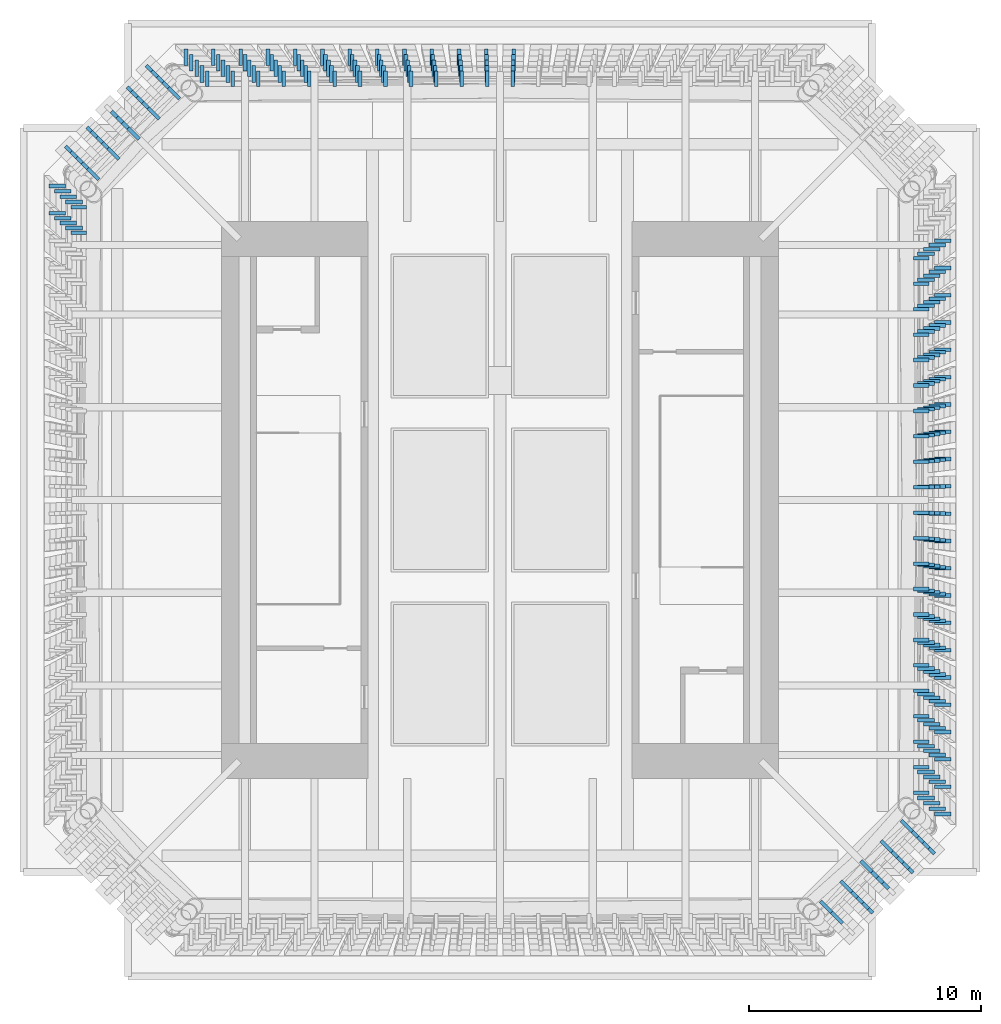
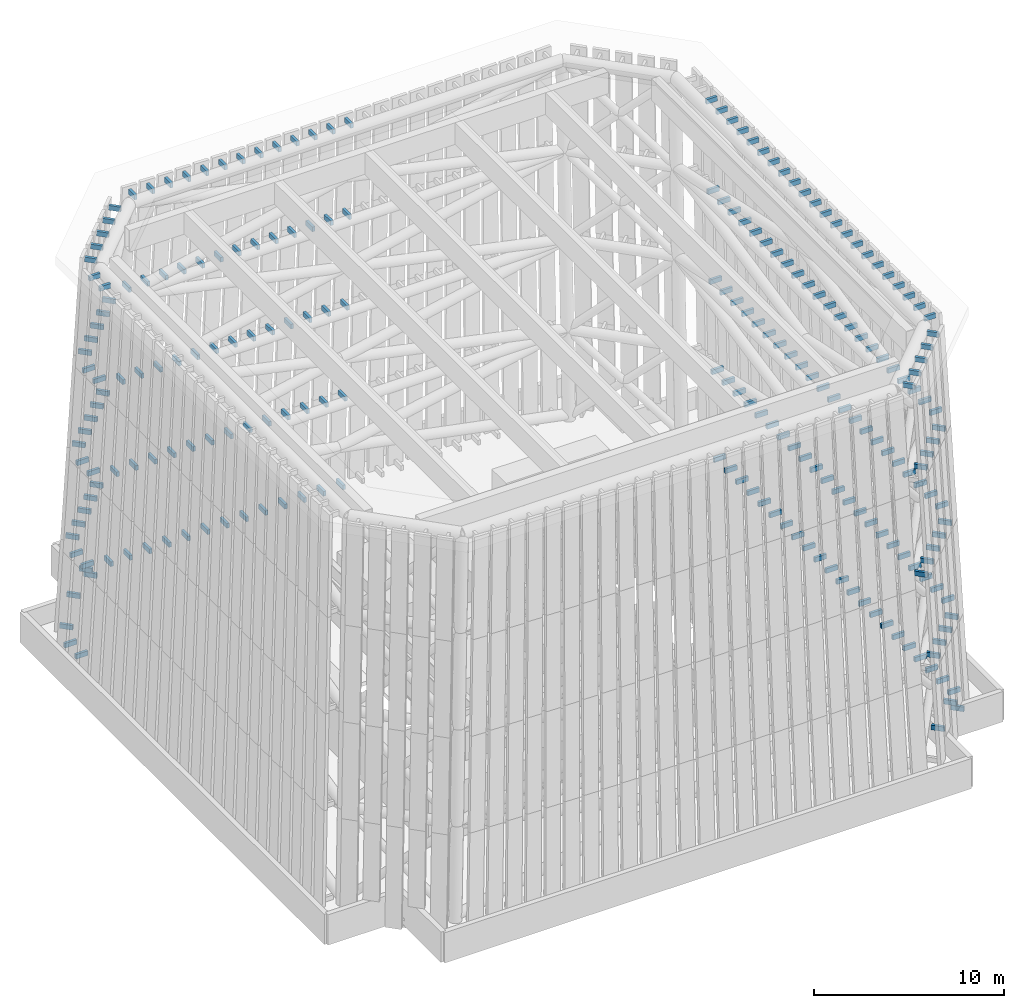
# One storey, part 5 of 13: 230 discrete accessories.
"""IFC4 building model written with IfcOpenShell, lengths in metres."""

from ifc_helpers import new_model, si_unit, direction, frame, origin, origin_2d, place, context, subcontext, project, spatial, rectangle, extrude, source, transform, mapped, material, type_object, element, save


model = new_model("IFC4")

# Units and contexts
model_context = context("Model", 3, precision=1e-05, world=origin(), true_north=direction((0.0, 1.0)))
body_context = subcontext(model_context, "Body", "Model", "MODEL_VIEW")
ifc_project = project(units=[si_unit("LENGTHUNIT", "METRE"), si_unit("AREAUNIT", "SQUARE_METRE"), si_unit("VOLUMEUNIT", "CUBIC_METRE"), si_unit("PLANEANGLEUNIT", "RADIAN"), si_unit("MASSUNIT", "GRAM", prefix="KILO")], contexts=[model_context])

# Site, building, storey
site_placement = place(None, origin())
site = spatial("IfcSite", under=ifc_project, at=site_placement, CompositionType="ELEMENT")
building_placement = place(site_placement, origin())
building = spatial("IfcBuilding", under=site, at=building_placement, Name="Peilmerk Tower", CompositionType="ELEMENT")
storey_placement = place(building_placement, frame((0.0, 0.0, 307.800048828125)))
storey = spatial("IfcBuildingStorey", under=building, at=storey_placement, Name="RF", CompositionType="ELEMENT", Elevation=307.800048828125)

# Discrete accessories
ifc_material = material(Name="Stainless steel 1.4401", Category="steel")
discrete_accessory_type = type_object("IfcDiscreteAccessoryType", Name="BR1 stainless steel fin bracket", PredefinedType="BRACKET", material=ifc_material)
shared_shape_1 = source(origin(), body_context, "Body", "SweptSolid", [
    extrude(rectangle(XDim=0.720458984375, YDim=0.159912109375, at=origin_2d()), origin(), (0.0, 0.0, 1.0), 0.300048828125),
])
for number, where, z_axis, x_axis, name in (
    (1, (19.0947265625, 11.185791015625, 0.0), (0.0, 0.0, 1.0), (1.0, 0.0, 0.0), "Crown fin bracket BR1 NE_E 3"),
    (2, (18.85888671875, 10.9990234375, 5.85009765625), (0.0, 0.0, 1.0), (1.0, 0.0, 0.0), "Crown fin bracket BR1 NE_E 3"),
    (3, (18.616943359375, 10.8076171875, 11.85009765625), (0.0, 0.0, 1.0), (1.0, 0.0, 0.0), "Crown fin bracket BR1 NE_E 3"),
    (4, (18.375, 10.615966796875, 17.85009765625), (0.0, 0.0, 1.0), (1.0, 0.0, 0.0), "Crown fin bracket BR1 NE_E 3"),
    (5, (19.0947265625, 10.00830078125, 0.0), (0.0, 0.0, 1.0), (1.0, 0.0, 0.0), "Crown fin bracket BR1 NE_E 4"),
    (6, (18.85888671875, 9.84130859375, 5.85009765625), (0.0, 0.0, 1.0), (1.0, 0.0, 0.0), "Crown fin bracket BR1 NE_E 4"),
    (7, (18.616943359375, 9.669921875, 11.85009765625), (0.0, 0.0, 1.0), (1.0, 0.0, 0.0), "Crown fin bracket BR1 NE_E 4"),
    (8, (18.375, 9.49853515625, 17.85009765625), (0.0, 0.0, 1.0), (1.0, 0.0, 0.0), "Crown fin bracket BR1 NE_E 4"),
    (9, (19.0947265625, 8.830810546875, 0.0), (0.0, 0.0, 1.0), (1.0, 0.0, 0.0), "Crown fin bracket BR1 NE_E 5"),
    (10, (18.85888671875, 8.683349609375, 5.85009765625), (0.0, 0.0, 1.0), (1.0, 0.0, 0.0), "Crown fin bracket BR1 NE_E 5"),
    (11, (18.616943359375, 8.5322265625, 11.85009765625), (0.0, 0.0, 1.0), (1.0, 0.0, 0.0), "Crown fin bracket BR1 NE_E 5"),
    (12, (18.375, 8.381103515625, 17.85009765625), (0.0, 0.0, 1.0), (1.0, 0.0, 0.0), "Crown fin bracket BR1 NE_E 5"),
    (13, (19.0947265625, 7.653564453125, 0.0), (0.0, 0.0, 1.0), (1.0, 0.0, 0.0), "Crown fin bracket BR1 NE_E 6"),
    (14, (18.85888671875, 7.525634765625, 5.85009765625), (0.0, 0.0, 1.0), (1.0, 0.0, 0.0), "Crown fin bracket BR1 NE_E 6"),
    (15, (18.616943359375, 7.39453125, 11.85009765625), (0.0, 0.0, 1.0), (1.0, 0.0, 0.0), "Crown fin bracket BR1 NE_E 6"),
    (16, (18.375, 7.263671875, 17.85009765625), (0.0, 0.0, 1.0), (1.0, 0.0, 0.0), "Crown fin bracket BR1 NE_E 6"),
    (17, (19.0947265625, 6.47607421875, 0.0), (0.0, 0.0, 1.0), (1.0, 0.0, 0.0), "Crown fin bracket BR1 NE_E 7"),
    (18, (18.85888671875, 6.367919921875, 5.85009765625), (0.0, 0.0, 1.0), (1.0, 0.0, 0.0), "Crown fin bracket BR1 NE_E 7"),
    (19, (18.616943359375, 6.257080078125, 11.85009765625), (0.0, 0.0, 1.0), (1.0, 0.0, 0.0), "Crown fin bracket BR1 NE_E 7"),
    (20, (18.375, 6.14599609375, 17.85009765625), (0.0, 0.0, 1.0), (1.0, 0.0, 0.0), "Crown fin bracket BR1 NE_E 7"),
    (21, (19.0947265625, 5.298583984375, 0.0), (0.0, 0.0, 1.0), (1.0, 0.0, 0.0), "Crown fin bracket BR1 NE_E 8"),
    (22, (18.85888671875, 5.2099609375, 5.85009765625), (0.0, 0.0, 1.0), (1.0, 0.0, 0.0), "Crown fin bracket BR1 NE_E 8"),
    (23, (18.616943359375, 5.119384765625, 11.85009765625), (0.0, 0.0, 1.0), (1.0, 0.0, 0.0), "Crown fin bracket BR1 NE_E 8"),
    (24, (18.375, 5.028564453125, 17.85009765625), (0.0, 0.0, 1.0), (1.0, 0.0, 0.0), "Crown fin bracket BR1 NE_E 8"),
    (25, (19.0947265625, 4.12109375, 0.0), (0.0, 0.0, 1.0), (1.0, 0.0, 0.0), "Crown fin bracket BR1 NE_E 9"),
    (26, (18.85888671875, 4.05224609375, 5.85009765625), (0.0, 0.0, 1.0), (1.0, 0.0, 0.0), "Crown fin bracket BR1 NE_E 9"),
    (27, (18.616943359375, 3.981689453125, 11.85009765625), (0.0, 0.0, 1.0), (1.0, 0.0, 0.0), "Crown fin bracket BR1 NE_E 9"),
    (28, (18.375, 3.9111328125, 17.85009765625), (0.0, 0.0, 1.0), (1.0, 0.0, 0.0), "Crown fin bracket BR1 NE_E 9"),
    (29, (19.0947265625, 2.943603515625, 0.0), (0.0, 0.0, 1.0), (1.0, 0.0, 0.0), "Crown fin bracket BR1 NE_E 10"),
    (30, (18.85888671875, 2.89453125, 5.85009765625), (0.0, 0.0, 1.0), (1.0, 0.0, 0.0), "Crown fin bracket BR1 NE_E 10"),
    (31, (18.616943359375, 2.843994140625, 11.85009765625), (0.0, 0.0, 1.0), (1.0, 0.0, 0.0), "Crown fin bracket BR1 NE_E 10"),
    (32, (18.375, 2.793701171875, 17.85009765625), (0.0, 0.0, 1.0), (1.0, 0.0, 0.0), "Crown fin bracket BR1 NE_E 10"),
    (33, (19.0947265625, 1.76611328125, 0.0), (0.0, 0.0, 1.0), (1.0, 0.0, 0.0), "Crown fin bracket BR1 NE_E 11"),
    (34, (18.85888671875, 1.736572265625, 5.85009765625), (0.0, 0.0, 1.0), (1.0, 0.0, 0.0), "Crown fin bracket BR1 NE_E 11"),
    (35, (18.616943359375, 1.70654296875, 11.85009765625), (0.0, 0.0, 1.0), (1.0, 0.0, 0.0), "Crown fin bracket BR1 NE_E 11"),
    (36, (18.375, 1.67626953125, 17.85009765625), (0.0, 0.0, 1.0), (1.0, 0.0, 0.0), "Crown fin bracket BR1 NE_E 11"),
    (37, (19.0947265625, 0.588623046875, 0.0), (0.0, 0.0, 1.0), (1.0, 0.0, 0.0), "Crown fin bracket BR1 NE_E 12"),
    (38, (18.85888671875, 0.578857421875, 5.85009765625), (0.0, 0.0, 1.0), (1.0, 0.0, 0.0), "Crown fin bracket BR1 NE_E 12"),
    (39, (18.616943359375, 0.56884765625, 11.85009765625), (0.0, 0.0, 1.0), (1.0, 0.0, 0.0), "Crown fin bracket BR1 NE_E 12"),
    (40, (18.375, 0.558837890625, 17.85009765625), (0.0, 0.0, 1.0), (1.0, 0.0, 0.0), "Crown fin bracket BR1 NE_E 12"),
    (41, (19.0947265625, -0.588623046875, 0.0), (0.0, 0.0, 1.0), (1.0, 0.0, 0.0), "Crown fin bracket BR1 NE_E 13"),
    (42, (18.85888671875, -0.578857421875, 5.85009765625), (0.0, 0.0, 1.0), (1.0, 0.0, 0.0), "Crown fin bracket BR1 NE_E 13"),
    (43, (18.616943359375, -0.56884765625, 11.85009765625), (0.0, 0.0, 1.0), (1.0, 0.0, 0.0), "Crown fin bracket BR1 NE_E 13"),
    (44, (18.375, -0.558837890625, 17.85009765625), (0.0, 0.0, 1.0), (1.0, 0.0, 0.0), "Crown fin bracket BR1 NE_E 13"),
    (45, (19.0947265625, -1.76611328125, 0.0), (0.0, 0.0, 1.0), (1.0, 0.0, 0.0), "Crown fin bracket BR1 NE_E 14"),
    (46, (18.85888671875, -1.736572265625, 5.85009765625), (0.0, 0.0, 1.0), (1.0, 0.0, 0.0), "Crown fin bracket BR1 NE_E 14"),
    (47, (18.616943359375, -1.70654296875, 11.85009765625), (0.0, 0.0, 1.0), (1.0, 0.0, 0.0), "Crown fin bracket BR1 NE_E 14"),
    (48, (18.375, -1.67626953125, 17.85009765625), (0.0, 0.0, 1.0), (1.0, 0.0, 0.0), "Crown fin bracket BR1 NE_E 14"),
    (49, (19.0947265625, -2.943603515625, 0.0), (0.0, 0.0, 1.0), (1.0, 0.0, 0.0), "Crown fin bracket BR1 NE_E 15"),
    (50, (18.85888671875, -2.89453125, 5.85009765625), (0.0, 0.0, 1.0), (1.0, 0.0, 0.0), "Crown fin bracket BR1 NE_E 15"),
    (51, (18.616943359375, -2.843994140625, 11.85009765625), (0.0, 0.0, 1.0), (1.0, 0.0, 0.0), "Crown fin bracket BR1 NE_E 15"),
    (52, (18.375, -2.793701171875, 17.85009765625), (0.0, 0.0, 1.0), (1.0, 0.0, 0.0), "Crown fin bracket BR1 NE_E 15"),
    (53, (19.0947265625, -4.12109375, 0.0), (0.0, 0.0, 1.0), (1.0, 0.0, 0.0), "Crown fin bracket BR1 NE_E 16"),
    (54, (18.85888671875, -4.05224609375, 5.85009765625), (0.0, 0.0, 1.0), (1.0, 0.0, 0.0), "Crown fin bracket BR1 NE_E 16"),
    (55, (18.616943359375, -3.981689453125, 11.85009765625), (0.0, 0.0, 1.0), (1.0, 0.0, 0.0), "Crown fin bracket BR1 NE_E 16"),
    (56, (18.375, -3.9111328125, 17.85009765625), (0.0, 0.0, 1.0), (1.0, 0.0, 0.0), "Crown fin bracket BR1 NE_E 16"),
    (57, (19.0947265625, -5.298583984375, 0.0), (0.0, 0.0, 1.0), (1.0, 0.0, 0.0), "Crown fin bracket BR1 NE_E 17"),
    (58, (18.85888671875, -5.2099609375, 5.85009765625), (0.0, 0.0, 1.0), (1.0, 0.0, 0.0), "Crown fin bracket BR1 NE_E 17"),
    (59, (18.616943359375, -5.119384765625, 11.85009765625), (0.0, 0.0, 1.0), (1.0, 0.0, 0.0), "Crown fin bracket BR1 NE_E 17"),
    (60, (18.375, -5.028564453125, 17.85009765625), (0.0, 0.0, 1.0), (1.0, 0.0, 0.0), "Crown fin bracket BR1 NE_E 17"),
    (61, (19.0947265625, -6.47607421875, 0.0), (0.0, 0.0, 1.0), (1.0, 0.0, 0.0), "Crown fin bracket BR1 NE_E 18"),
    (62, (18.85888671875, -6.367919921875, 5.85009765625), (0.0, 0.0, 1.0), (1.0, 0.0, 0.0), "Crown fin bracket BR1 NE_E 18"),
    (63, (18.616943359375, -6.257080078125, 11.85009765625), (0.0, 0.0, 1.0), (1.0, 0.0, 0.0), "Crown fin bracket BR1 NE_E 18"),
    (64, (18.375, -6.14599609375, 17.85009765625), (0.0, 0.0, 1.0), (1.0, 0.0, 0.0), "Crown fin bracket BR1 NE_E 18"),
    (65, (19.0947265625, -7.653564453125, 0.0), (0.0, 0.0, 1.0), (1.0, 0.0, 0.0), "Crown fin bracket BR1 NE_E 19"),
    (66, (18.85888671875, -7.525634765625, 5.85009765625), (0.0, 0.0, 1.0), (1.0, 0.0, 0.0), "Crown fin bracket BR1 NE_E 19"),
    (67, (18.616943359375, -7.39453125, 11.85009765625), (0.0, 0.0, 1.0), (1.0, 0.0, 0.0), "Crown fin bracket BR1 NE_E 19"),
    (68, (18.375, -7.263671875, 17.85009765625), (0.0, 0.0, 1.0), (1.0, 0.0, 0.0), "Crown fin bracket BR1 NE_E 19"),
    (69, (19.0947265625, -8.830810546875, 0.0), (0.0, 0.0, 1.0), (1.0, 0.0, 0.0), "Crown fin bracket BR1 NE_E 20"),
    (70, (18.85888671875, -8.683349609375, 5.85009765625), (0.0, 0.0, 1.0), (1.0, 0.0, 0.0), "Crown fin bracket BR1 NE_E 20"),
    (71, (18.616943359375, -8.5322265625, 11.85009765625), (0.0, 0.0, 1.0), (1.0, 0.0, 0.0), "Crown fin bracket BR1 NE_E 20"),
    (72, (18.375, -8.381103515625, 17.85009765625), (0.0, 0.0, 1.0), (1.0, 0.0, 0.0), "Crown fin bracket BR1 NE_E 20"),
    (73, (19.0947265625, -10.00830078125, 0.0), (0.0, 0.0, 1.0), (1.0, 0.0, 0.0), "Crown fin bracket BR1 NE_E 21"),
    (74, (18.85888671875, -9.84130859375, 5.85009765625), (0.0, 0.0, 1.0), (1.0, 0.0, 0.0), "Crown fin bracket BR1 NE_E 21"),
    (75, (18.616943359375, -9.669921875, 11.85009765625), (0.0, 0.0, 1.0), (1.0, 0.0, 0.0), "Crown fin bracket BR1 NE_E 21"),
    (76, (18.375, -9.49853515625, 17.85009765625), (0.0, 0.0, 1.0), (1.0, 0.0, 0.0), "Crown fin bracket BR1 NE_E 21"),
    (77, (19.0947265625, -11.185791015625, 0.0), (0.0, 0.0, 1.0), (1.0, 0.0, 0.0), "Crown fin bracket BR1 NE_E 22"),
    (78, (18.85888671875, -10.9990234375, 5.85009765625), (0.0, 0.0, 1.0), (1.0, 0.0, 0.0), "Crown fin bracket BR1 NE_E 22"),
    (79, (18.616943359375, -10.8076171875, 11.85009765625), (0.0, 0.0, 1.0), (1.0, 0.0, 0.0), "Crown fin bracket BR1 NE_E 22"),
    (80, (18.375, -10.615966796875, 17.85009765625), (0.0, 0.0, 1.0), (1.0, 0.0, 0.0), "Crown fin bracket BR1 NE_E 22"),
    (81, (19.0947265625, -12.36328125, 0.0), (0.0, 0.0, 1.0), (1.0, 0.0, 0.0), "Crown fin bracket BR1 NE_E 23"),
    (82, (18.85888671875, -12.15673828125, 5.85009765625), (0.0, 0.0, 1.0), (1.0, 0.0, 0.0), "Crown fin bracket BR1 NE_E 23"),
    (83, (18.616943359375, -11.945068359375, 11.85009765625), (0.0, 0.0, 1.0), (1.0, 0.0, 0.0), "Crown fin bracket BR1 NE_E 23"),
    (84, (18.375, -11.7333984375, 17.85009765625), (0.0, 0.0, 1.0), (1.0, 0.0, 0.0), "Crown fin bracket BR1 NE_E 23"),
    (85, (19.0947265625, -13.540771484375, 0.0), (0.0, 0.0, 1.0), (1.0, 0.0, 0.0), "Crown fin bracket BR1 NE_E 24"),
    (86, (18.85888671875, -13.314697265625, 5.85009765625), (0.0, 0.0, 1.0), (1.0, 0.0, 0.0), "Crown fin bracket BR1 NE_E 24"),
    (87, (18.616943359375, -13.082763671875, 11.85009765625), (0.0, 0.0, 1.0), (1.0, 0.0, 0.0), "Crown fin bracket BR1 NE_E 24"),
    (88, (18.375, -12.850830078125, 17.85009765625), (0.0, 0.0, 1.0), (1.0, 0.0, 0.0), "Crown fin bracket BR1 NE_E 24"),
    (89, (18.4794921875, -14.99951171875, 0.0), (0.0, 0.0, 1.0), (0.707106781187, -0.707106781187, 0.0), "Crown fin bracket BR1 SE_E 1"),
    (90, (18.24365234375, -14.763671875, 5.85009765625), (0.0, 0.0, 1.0), (0.707106781187, -0.707106781187, 0.0), "Crown fin bracket BR1 SE_E 1"),
    (91, (18.001708984375, -14.521728515625, 11.85009765625), (0.0, 0.0, 1.0), (0.707106781187, -0.707106781187, 0.0), "Crown fin bracket BR1 SE_E 1"),
    (92, (17.759765625, -14.27978515625, 17.85009765625), (0.0, 0.0, 1.0), (0.707106781187, -0.707106781187, 0.0), "Crown fin bracket BR1 SE_E 1"),
    (93, (17.56103515625, -15.821044921875, 1.19970703125), (0.0, 0.0, 1.0), (0.707106781187, -0.707106781187, 0.0), "Crown fin bracket BR1 SE_E 2"),
    (94, (17.37353515625, -15.633544921875, 5.85009765625), (0.0, 0.0, 1.0), (0.707106781187, -0.707106781187, 0.0), "Crown fin bracket BR1 SE_E 2"),
    (95, (17.131591796875, -15.3916015625, 11.85009765625), (0.0, 0.0, 1.0), (0.707106781187, -0.707106781187, 0.0), "Crown fin bracket BR1 SE_E 2"),
    (96, (16.8896484375, -15.149658203125, 17.85009765625), (0.0, 0.0, 1.0), (0.707106781187, -0.707106781187, 0.0), "Crown fin bracket BR1 SE_E 2"),
    (97, (16.503662109375, -16.503662109375, 5.85009765625), (0.0, 0.0, 1.0), (0.707106781187, -0.707106781187, 0.0), "Crown fin bracket BR1 SE_E 3"),
    (98, (16.26171875, -16.26171875, 11.85009765625), (0.0, 0.0, 1.0), (0.707106781187, -0.707106781187, 0.0), "Crown fin bracket BR1 SE_E 3"),
    (99, (16.019775390625, -16.019775390625, 17.85009765625), (0.0, 0.0, 1.0), (0.707106781187, -0.707106781187, 0.0), "Crown fin bracket BR1 SE_E 3"),
    (100, (15.821044921875, -17.56103515625, 1.19970703125), (0.0, 0.0, 1.0), (0.707106781187, -0.707106781187, 0.0), "Crown fin bracket BR1 SE_E 4"),
    (101, (15.633544921875, -17.37353515625, 5.85009765625), (0.0, 0.0, 1.0), (0.707106781187, -0.707106781187, 0.0), "Crown fin bracket BR1 SE_E 4"),
    (102, (15.3916015625, -17.131591796875, 11.85009765625), (0.0, 0.0, 1.0), (0.707106781187, -0.707106781187, 0.0), "Crown fin bracket BR1 SE_E 4"),
    (103, (15.149658203125, -16.8896484375, 17.85009765625), (0.0, 0.0, 1.0), (0.707106781187, -0.707106781187, 0.0), "Crown fin bracket BR1 SE_E 4"),
    (104, (14.521728515625, -18.001708984375, 11.85009765625), (0.0, 0.0, 1.0), (0.707106781187, -0.707106781187, 0.0), "Crown fin bracket BR1 SE_E 5"),
    (105, (-19.0947265625, 12.36328125, 0.0), (0.0, 0.0, 1.0), (-1.0, 0.0, 0.0), "Crown fin bracket BR1 SW_W 23"),
    (106, (-18.85888671875, 12.15673828125, 5.85009765625), (0.0, 0.0, 1.0), (-1.0, 0.0, 0.0), "Crown fin bracket BR1 SW_W 23"),
    (107, (-18.616943359375, 11.945068359375, 11.85009765625), (0.0, 0.0, 1.0), (-1.0, 0.0, 0.0), "Crown fin bracket BR1 SW_W 23"),
    (108, (-18.375, 11.7333984375, 17.85009765625), (0.0, 0.0, 1.0), (-1.0, 0.0, 0.0), "Crown fin bracket BR1 SW_W 23"),
    (109, (-19.0947265625, 13.540771484375, 0.0), (0.0, 0.0, 1.0), (-1.0, 0.0, 0.0), "Crown fin bracket BR1 SW_W 24"),
    (110, (-18.85888671875, 13.314697265625, 5.85009765625), (0.0, 0.0, 1.0), (-1.0, 0.0, 0.0), "Crown fin bracket BR1 SW_W 24"),
    (111, (-18.616943359375, 13.082763671875, 11.85009765625), (0.0, 0.0, 1.0), (-1.0, 0.0, 0.0), "Crown fin bracket BR1 SW_W 24"),
    (112, (-18.375, 12.850830078125, 17.85009765625), (0.0, 0.0, 1.0), (-1.0, 0.0, 0.0), "Crown fin bracket BR1 SW_W 24"),
    (113, (-18.4794921875, 14.99951171875, 0.0), (0.0, 0.0, 1.0), (-0.707106781187, 0.707106781187, 0.0), "Crown fin bracket BR1 NW_W 1"),
    (114, (-18.24365234375, 14.763671875, 5.85009765625), (0.0, 0.0, 1.0), (-0.707106781187, 0.707106781187, 0.0), "Crown fin bracket BR1 NW_W 1"),
    (115, (-18.001708984375, 14.521728515625, 11.85009765625), (0.0, 0.0, 1.0), (-0.707106781187, 0.707106781187, 0.0), "Crown fin bracket BR1 NW_W 1"),
    (116, (-17.759765625, 14.27978515625, 17.85009765625), (0.0, 0.0, 1.0), (-0.707106781187, 0.707106781187, 0.0), "Crown fin bracket BR1 NW_W 1"),
    (117, (-17.56103515625, 15.821044921875, 1.19970703125), (0.0, 0.0, 1.0), (-0.707106781187, 0.707106781187, 0.0), "Crown fin bracket BR1 NW_W 2"),
    (118, (-17.37353515625, 15.633544921875, 5.85009765625), (0.0, 0.0, 1.0), (-0.707106781187, 0.707106781187, 0.0), "Crown fin bracket BR1 NW_W 2"),
    (119, (-17.131591796875, 15.3916015625, 11.85009765625), (0.0, 0.0, 1.0), (-0.707106781187, 0.707106781187, 0.0), "Crown fin bracket BR1 NW_W 2"),
    (120, (-16.8896484375, 15.149658203125, 17.85009765625), (0.0, 0.0, 1.0), (-0.707106781187, 0.707106781187, 0.0), "Crown fin bracket BR1 NW_W 2"),
    (121, (-16.503662109375, 16.503662109375, 5.85009765625), (0.0, 0.0, 1.0), (-0.707106781187, 0.707106781187, 0.0), "Crown fin bracket BR1 NW_W 3"),
    (122, (-16.26171875, 16.26171875, 11.85009765625), (0.0, 0.0, 1.0), (-0.707106781187, 0.707106781187, 0.0), "Crown fin bracket BR1 NW_W 3"),
    (123, (-16.019775390625, 16.019775390625, 17.85009765625), (0.0, 0.0, 1.0), (-0.707106781187, 0.707106781187, 0.0), "Crown fin bracket BR1 NW_W 3"),
    (124, (-15.821044921875, 17.56103515625, 1.19970703125), (0.0, 0.0, 1.0), (-0.707106781187, 0.707106781187, 0.0), "Crown fin bracket BR1 NW_W 4"),
    (125, (-15.633544921875, 17.37353515625, 5.85009765625), (0.0, 0.0, 1.0), (-0.707106781187, 0.707106781187, 0.0), "Crown fin bracket BR1 NW_W 4"),
    (126, (-15.3916015625, 17.131591796875, 11.85009765625), (0.0, 0.0, 1.0), (-0.707106781187, 0.707106781187, 0.0), "Crown fin bracket BR1 NW_W 4"),
    (127, (-15.149658203125, 16.8896484375, 17.85009765625), (0.0, 0.0, 1.0), (-0.707106781187, 0.707106781187, 0.0), "Crown fin bracket BR1 NW_W 4"),
    (128, (-14.99951171875, 18.4794921875, 0.0), (0.0, 0.0, 1.0), (-0.707106781187, 0.707106781187, 0.0), "Crown fin bracket BR1 NW_W 5"),
    (129, (-14.763671875, 18.24365234375, 5.85009765625), (0.0, 0.0, 1.0), (-0.707106781187, 0.707106781187, 0.0), "Crown fin bracket BR1 NW_W 5"),
    (130, (-14.521728515625, 18.001708984375, 11.85009765625), (0.0, 0.0, 1.0), (-0.707106781187, 0.707106781187, 0.0), "Crown fin bracket BR1 NW_W 5"),
    (131, (-14.27978515625, 17.759765625, 17.85009765625), (0.0, 0.0, 1.0), (-0.707106781187, 0.707106781187, 0.0), "Crown fin bracket BR1 NW_W 5"),
    (132, (-13.540771484375, 19.0947265625, 0.0), (0.0, 0.0, 1.0), (0.0, 1.0, 0.0), "Crown fin bracket BR1 NW_N 1"),
    (133, (-13.314697265625, 18.85888671875, 5.85009765625), (0.0, 0.0, 1.0), (0.0, 1.0, 0.0), "Crown fin bracket BR1 NW_N 1"),
    (134, (-13.082763671875, 18.616943359375, 11.85009765625), (0.0, 0.0, 1.0), (0.0, 1.0, 0.0), "Crown fin bracket BR1 NW_N 1"),
    (135, (-12.850830078125, 18.375, 17.85009765625), (0.0, 0.0, 1.0), (0.0, 1.0, 0.0), "Crown fin bracket BR1 NW_N 1"),
    (136, (-12.36328125, 19.0947265625, 0.0), (0.0, 0.0, 1.0), (0.0, 1.0, 0.0), "Crown fin bracket BR1 NW_N 2"),
    (137, (-12.15673828125, 18.85888671875, 5.85009765625), (0.0, 0.0, 1.0), (0.0, 1.0, 0.0), "Crown fin bracket BR1 NW_N 2"),
    (138, (-11.945068359375, 18.616943359375, 11.85009765625), (0.0, 0.0, 1.0), (0.0, 1.0, 0.0), "Crown fin bracket BR1 NW_N 2"),
    (139, (-11.7333984375, 18.375, 17.85009765625), (0.0, 0.0, 1.0), (0.0, 1.0, 0.0), "Crown fin bracket BR1 NW_N 2"),
    (140, (-11.185791015625, 19.0947265625, 0.0), (0.0, 0.0, 1.0), (0.0, 1.0, 0.0), "Crown fin bracket BR1 NW_N 3"),
    (141, (-10.9990234375, 18.85888671875, 5.85009765625), (0.0, 0.0, 1.0), (0.0, 1.0, 0.0), "Crown fin bracket BR1 NW_N 3"),
    (142, (-10.8076171875, 18.616943359375, 11.85009765625), (0.0, 0.0, 1.0), (0.0, 1.0, 0.0), "Crown fin bracket BR1 NW_N 3"),
    (143, (-10.615966796875, 18.375, 17.85009765625), (0.0, 0.0, 1.0), (0.0, 1.0, 0.0), "Crown fin bracket BR1 NW_N 3"),
    (144, (-10.00830078125, 19.0947265625, 0.0), (0.0, 0.0, 1.0), (0.0, 1.0, 0.0), "Crown fin bracket BR1 NW_N 4"),
    (145, (-9.84130859375, 18.85888671875, 5.85009765625), (0.0, 0.0, 1.0), (0.0, 1.0, 0.0), "Crown fin bracket BR1 NW_N 4"),
    (146, (-9.669921875, 18.616943359375, 11.85009765625), (0.0, 0.0, 1.0), (0.0, 1.0, 0.0), "Crown fin bracket BR1 NW_N 4"),
    (147, (-9.49853515625, 18.375, 17.85009765625), (0.0, 0.0, 1.0), (0.0, 1.0, 0.0), "Crown fin bracket BR1 NW_N 4"),
    (148, (-8.830810546875, 19.0947265625, 0.0), (0.0, 0.0, 1.0), (0.0, 1.0, 0.0), "Crown fin bracket BR1 NW_N 5"),
    (149, (-8.683349609375, 18.85888671875, 5.85009765625), (0.0, 0.0, 1.0), (0.0, 1.0, 0.0), "Crown fin bracket BR1 NW_N 5"),
    (150, (-8.5322265625, 18.616943359375, 11.85009765625), (0.0, 0.0, 1.0), (0.0, 1.0, 0.0), "Crown fin bracket BR1 NW_N 5"),
    (151, (-8.381103515625, 18.375, 17.85009765625), (0.0, 0.0, 1.0), (0.0, 1.0, 0.0), "Crown fin bracket BR1 NW_N 5"),
    (152, (-7.653564453125, 19.0947265625, 0.0), (0.0, 0.0, 1.0), (0.0, 1.0, 0.0), "Crown fin bracket BR1 NW_N 6"),
    (153, (-7.525634765625, 18.85888671875, 5.85009765625), (0.0, 0.0, 1.0), (0.0, 1.0, 0.0), "Crown fin bracket BR1 NW_N 6"),
    (154, (-7.39453125, 18.616943359375, 11.85009765625), (0.0, 0.0, 1.0), (0.0, 1.0, 0.0), "Crown fin bracket BR1 NW_N 6"),
    (155, (-7.263671875, 18.375, 17.85009765625), (0.0, 0.0, 1.0), (0.0, 1.0, 0.0), "Crown fin bracket BR1 NW_N 6"),
    (156, (-6.47607421875, 19.0947265625, 0.0), (0.0, 0.0, 1.0), (0.0, 1.0, 0.0), "Crown fin bracket BR1 NW_N 7"),
    (157, (-6.367919921875, 18.85888671875, 5.85009765625), (0.0, 0.0, 1.0), (0.0, 1.0, 0.0), "Crown fin bracket BR1 NW_N 7"),
    (158, (-6.257080078125, 18.616943359375, 11.85009765625), (0.0, 0.0, 1.0), (0.0, 1.0, 0.0), "Crown fin bracket BR1 NW_N 7"),
    (159, (-6.14599609375, 18.375, 17.85009765625), (0.0, 0.0, 1.0), (0.0, 1.0, 0.0), "Crown fin bracket BR1 NW_N 7"),
    (160, (-5.298583984375, 19.0947265625, 0.0), (0.0, 0.0, 1.0), (0.0, 1.0, 0.0), "Crown fin bracket BR1 NW_N 8"),
    (161, (-5.2099609375, 18.85888671875, 5.85009765625), (0.0, 0.0, 1.0), (0.0, 1.0, 0.0), "Crown fin bracket BR1 NW_N 8"),
    (162, (-5.119384765625, 18.616943359375, 11.85009765625), (0.0, 0.0, 1.0), (0.0, 1.0, 0.0), "Crown fin bracket BR1 NW_N 8"),
    (163, (-5.028564453125, 18.375, 17.85009765625), (0.0, 0.0, 1.0), (0.0, 1.0, 0.0), "Crown fin bracket BR1 NW_N 8"),
    (164, (-4.12109375, 19.0947265625, 0.0), (0.0, 0.0, 1.0), (0.0, 1.0, 0.0), "Crown fin bracket BR1 NW_N 9"),
    (165, (-4.05224609375, 18.85888671875, 5.85009765625), (0.0, 0.0, 1.0), (0.0, 1.0, 0.0), "Crown fin bracket BR1 NW_N 9"),
    (166, (-3.981689453125, 18.616943359375, 11.85009765625), (0.0, 0.0, 1.0), (0.0, 1.0, 0.0), "Crown fin bracket BR1 NW_N 9"),
    (167, (-3.9111328125, 18.375, 17.85009765625), (0.0, 0.0, 1.0), (0.0, 1.0, 0.0), "Crown fin bracket BR1 NW_N 9"),
    (168, (-2.943603515625, 19.0947265625, 0.0), (0.0, 0.0, 1.0), (0.0, 1.0, 0.0), "Crown fin bracket BR1 NW_N 10"),
    (169, (-2.89453125, 18.85888671875, 5.85009765625), (0.0, 0.0, 1.0), (0.0, 1.0, 0.0), "Crown fin bracket BR1 NW_N 10"),
    (170, (-2.843994140625, 18.616943359375, 11.85009765625), (0.0, 0.0, 1.0), (0.0, 1.0, 0.0), "Crown fin bracket BR1 NW_N 10"),
    (171, (-2.793701171875, 18.375, 17.85009765625), (0.0, 0.0, 1.0), (0.0, 1.0, 0.0), "Crown fin bracket BR1 NW_N 10"),
    (172, (-1.76611328125, 19.0947265625, 0.0), (0.0, 0.0, 1.0), (0.0, 1.0, 0.0), "Crown fin bracket BR1 NW_N 11"),
    (173, (-1.736572265625, 18.85888671875, 5.85009765625), (0.0, 0.0, 1.0), (0.0, 1.0, 0.0), "Crown fin bracket BR1 NW_N 11"),
    (174, (-1.70654296875, 18.616943359375, 11.85009765625), (0.0, 0.0, 1.0), (0.0, 1.0, 0.0), "Crown fin bracket BR1 NW_N 11"),
    (175, (-1.67626953125, 18.375, 17.85009765625), (0.0, 0.0, 1.0), (0.0, 1.0, 0.0), "Crown fin bracket BR1 NW_N 11"),
    (176, (-0.588623046875, 19.0947265625, 0.0), (0.0, 0.0, 1.0), (0.0, 1.0, 0.0), "Crown fin bracket BR1 NW_N 12"),
    (177, (-0.578857421875, 18.85888671875, 5.85009765625), (0.0, 0.0, 1.0), (0.0, 1.0, 0.0), "Crown fin bracket BR1 NW_N 12"),
    (178, (-0.56884765625, 18.616943359375, 11.85009765625), (0.0, 0.0, 1.0), (0.0, 1.0, 0.0), "Crown fin bracket BR1 NW_N 12"),
    (179, (-0.558837890625, 18.375, 17.85009765625), (0.0, 0.0, 1.0), (0.0, 1.0, 0.0), "Crown fin bracket BR1 NW_N 12"),
    (180, (0.588623046875, 19.0947265625, 0.0), (0.0, 0.0, 1.0), (0.0, 1.0, 0.0), "Crown fin bracket BR1 NW_N 13"),
    (181, (0.578857421875, 18.85888671875, 5.85009765625), (0.0, 0.0, 1.0), (0.0, 1.0, 0.0), "Crown fin bracket BR1 NW_N 13"),
    (182, (0.56884765625, 18.616943359375, 11.85009765625), (0.0, 0.0, 1.0), (0.0, 1.0, 0.0), "Crown fin bracket BR1 NW_N 13"),
    (183, (0.558837890625, 18.375, 17.85009765625), (0.0, 0.0, 1.0), (0.0, 1.0, 0.0), "Crown fin bracket BR1 NW_N 13"),
):
    element("IfcDiscreteAccessory", number, at=place(storey_placement, frame(where, z_axis=z_axis, x_axis=x_axis)), inside=storey, type_object=discrete_accessory_type, Name=name, PredefinedType="BRACKET", context=body_context, shape_type="MappedRepresentation", body=[
        mapped(shared_shape_1, transform((0.0, 0.0, 0.0), scale=1.0)),
    ])
shared_shape_2 = source(origin(), body_context, "Body", "SweptSolid", [
    extrude(rectangle(XDim=0.669921875, YDim=0.159912109375, at=origin_2d()), origin(), (0.0, 0.0, 1.0), 0.300048828125),
])
for number, where, z_axis, x_axis, name in (
    (184, (18.158203125, 10.424560546875, 23.85009765625), (0.0, 0.0, 1.0), (1.0, 0.0, 0.0), "Crown fin bracket BR1 NE_E 3"),
    (185, (18.158203125, 9.3271484375, 23.85009765625), (0.0, 0.0, 1.0), (1.0, 0.0, 0.0), "Crown fin bracket BR1 NE_E 4"),
    (186, (18.158203125, 8.229736328125, 23.85009765625), (0.0, 0.0, 1.0), (1.0, 0.0, 0.0), "Crown fin bracket BR1 NE_E 5"),
    (187, (18.158203125, 7.132568359375, 23.85009765625), (0.0, 0.0, 1.0), (1.0, 0.0, 0.0), "Crown fin bracket BR1 NE_E 6"),
    (188, (18.158203125, 6.03515625, 23.85009765625), (0.0, 0.0, 1.0), (1.0, 0.0, 0.0), "Crown fin bracket BR1 NE_E 7"),
    (189, (18.158203125, 4.93798828125, 23.85009765625), (0.0, 0.0, 1.0), (1.0, 0.0, 0.0), "Crown fin bracket BR1 NE_E 8"),
    (190, (18.158203125, 3.840576171875, 23.85009765625), (0.0, 0.0, 1.0), (1.0, 0.0, 0.0), "Crown fin bracket BR1 NE_E 9"),
    (191, (18.158203125, 2.7431640625, 23.85009765625), (0.0, 0.0, 1.0), (1.0, 0.0, 0.0), "Crown fin bracket BR1 NE_E 10"),
    (192, (18.158203125, 1.64599609375, 23.85009765625), (0.0, 0.0, 1.0), (1.0, 0.0, 0.0), "Crown fin bracket BR1 NE_E 11"),
    (193, (18.158203125, 0.548583984375, 23.85009765625), (0.0, 0.0, 1.0), (1.0, 0.0, 0.0), "Crown fin bracket BR1 NE_E 12"),
    (194, (18.158203125, -0.548583984375, 23.85009765625), (0.0, 0.0, 1.0), (1.0, 0.0, 0.0), "Crown fin bracket BR1 NE_E 13"),
    (195, (18.158203125, -1.64599609375, 23.85009765625), (0.0, 0.0, 1.0), (1.0, 0.0, 0.0), "Crown fin bracket BR1 NE_E 14"),
    (196, (18.158203125, -2.7431640625, 23.85009765625), (0.0, 0.0, 1.0), (1.0, 0.0, 0.0), "Crown fin bracket BR1 NE_E 15"),
    (197, (18.158203125, -3.840576171875, 23.85009765625), (0.0, 0.0, 1.0), (1.0, 0.0, 0.0), "Crown fin bracket BR1 NE_E 16"),
    (198, (18.158203125, -4.93798828125, 23.85009765625), (0.0, 0.0, 1.0), (1.0, 0.0, 0.0), "Crown fin bracket BR1 NE_E 17"),
    (199, (18.158203125, -6.03515625, 23.85009765625), (0.0, 0.0, 1.0), (1.0, 0.0, 0.0), "Crown fin bracket BR1 NE_E 18"),
    (200, (18.158203125, -7.132568359375, 23.85009765625), (0.0, 0.0, 1.0), (1.0, 0.0, 0.0), "Crown fin bracket BR1 NE_E 19"),
    (201, (18.158203125, -8.229736328125, 23.85009765625), (0.0, 0.0, 1.0), (1.0, 0.0, 0.0), "Crown fin bracket BR1 NE_E 20"),
    (202, (18.158203125, -9.3271484375, 23.85009765625), (0.0, 0.0, 1.0), (1.0, 0.0, 0.0), "Crown fin bracket BR1 NE_E 21"),
    (203, (18.158203125, -10.424560546875, 23.85009765625), (0.0, 0.0, 1.0), (1.0, 0.0, 0.0), "Crown fin bracket BR1 NE_E 22"),
    (204, (18.158203125, -11.521728515625, 23.85009765625), (0.0, 0.0, 1.0), (1.0, 0.0, 0.0), "Crown fin bracket BR1 NE_E 23"),
    (205, (18.158203125, -12.619140625, 23.85009765625), (0.0, 0.0, 1.0), (1.0, 0.0, 0.0), "Crown fin bracket BR1 NE_E 24"),
    (206, (17.53564453125, -14.0556640625, 23.85009765625), (0.0, 0.0, 1.0), (0.707106781187, -0.707106781187, 0.0), "Crown fin bracket BR1 SE_E 1"),
    (207, (16.66552734375, -14.925537109375, 23.85009765625), (0.0, 0.0, 1.0), (0.707106781187, -0.707106781187, 0.0), "Crown fin bracket BR1 SE_E 2"),
    (208, (15.795654296875, -15.795654296875, 23.85009765625), (0.0, 0.0, 1.0), (0.707106781187, -0.707106781187, 0.0), "Crown fin bracket BR1 SE_E 3"),
    (209, (14.925537109375, -16.66552734375, 23.85009765625), (0.0, 0.0, 1.0), (0.707106781187, -0.707106781187, 0.0), "Crown fin bracket BR1 SE_E 4"),
    (210, (14.0556640625, -17.53564453125, 23.85009765625), (0.0, 0.0, 1.0), (0.707106781187, -0.707106781187, 0.0), "Crown fin bracket BR1 SE_E 5"),
    (211, (-18.158203125, 11.521728515625, 23.85009765625), (0.0, 0.0, 1.0), (-1.0, 0.0, 0.0), "Crown fin bracket BR1 SW_W 23"),
    (212, (-18.158203125, 12.619140625, 23.85009765625), (0.0, 0.0, 1.0), (-1.0, 0.0, 0.0), "Crown fin bracket BR1 SW_W 24"),
    (213, (-17.53564453125, 14.0556640625, 23.85009765625), (0.0, 0.0, 1.0), (-0.707106781187, 0.707106781187, 0.0), "Crown fin bracket BR1 NW_W 1"),
    (214, (-16.66552734375, 14.925537109375, 23.85009765625), (0.0, 0.0, 1.0), (-0.707106781187, 0.707106781187, 0.0), "Crown fin bracket BR1 NW_W 2"),
    (215, (-15.795654296875, 15.795654296875, 23.85009765625), (0.0, 0.0, 1.0), (-0.707106781187, 0.707106781187, 0.0), "Crown fin bracket BR1 NW_W 3"),
    (216, (-14.925537109375, 16.66552734375, 23.85009765625), (0.0, 0.0, 1.0), (-0.707106781187, 0.707106781187, 0.0), "Crown fin bracket BR1 NW_W 4"),
    (217, (-14.0556640625, 17.53564453125, 23.85009765625), (0.0, 0.0, 1.0), (-0.707106781187, 0.707106781187, 0.0), "Crown fin bracket BR1 NW_W 5"),
    (218, (-12.619140625, 18.158203125, 23.85009765625), (0.0, 0.0, 1.0), (0.0, 1.0, 0.0), "Crown fin bracket BR1 NW_N 1"),
    (219, (-11.521728515625, 18.158203125, 23.85009765625), (0.0, 0.0, 1.0), (0.0, 1.0, 0.0), "Crown fin bracket BR1 NW_N 2"),
    (220, (-10.424560546875, 18.158203125, 23.85009765625), (0.0, 0.0, 1.0), (0.0, 1.0, 0.0), "Crown fin bracket BR1 NW_N 3"),
    (221, (-9.3271484375, 18.158203125, 23.85009765625), (0.0, 0.0, 1.0), (0.0, 1.0, 0.0), "Crown fin bracket BR1 NW_N 4"),
    (222, (-8.229736328125, 18.158203125, 23.85009765625), (0.0, 0.0, 1.0), (0.0, 1.0, 0.0), "Crown fin bracket BR1 NW_N 5"),
    (223, (-7.132568359375, 18.158203125, 23.85009765625), (0.0, 0.0, 1.0), (0.0, 1.0, 0.0), "Crown fin bracket BR1 NW_N 6"),
    (224, (-6.03515625, 18.158203125, 23.85009765625), (0.0, 0.0, 1.0), (0.0, 1.0, 0.0), "Crown fin bracket BR1 NW_N 7"),
    (225, (-4.93798828125, 18.158203125, 23.85009765625), (0.0, 0.0, 1.0), (0.0, 1.0, 0.0), "Crown fin bracket BR1 NW_N 8"),
    (226, (-3.840576171875, 18.158203125, 23.85009765625), (0.0, 0.0, 1.0), (0.0, 1.0, 0.0), "Crown fin bracket BR1 NW_N 9"),
    (227, (-2.7431640625, 18.158203125, 23.85009765625), (0.0, 0.0, 1.0), (0.0, 1.0, 0.0), "Crown fin bracket BR1 NW_N 10"),
    (228, (-1.64599609375, 18.158203125, 23.85009765625), (0.0, 0.0, 1.0), (0.0, 1.0, 0.0), "Crown fin bracket BR1 NW_N 11"),
    (229, (-0.548583984375, 18.158203125, 23.85009765625), (0.0, 0.0, 1.0), (0.0, 1.0, 0.0), "Crown fin bracket BR1 NW_N 12"),
    (230, (0.548583984375, 18.158203125, 23.85009765625), (0.0, 0.0, 1.0), (0.0, 1.0, 0.0), "Crown fin bracket BR1 NW_N 13"),
):
    element("IfcDiscreteAccessory", number, at=place(storey_placement, frame(where, z_axis=z_axis, x_axis=x_axis)), inside=storey, type_object=discrete_accessory_type, Name=name, PredefinedType="BRACKET", context=body_context, shape_type="MappedRepresentation", body=[
        mapped(shared_shape_2, transform((0.0, 0.0, 0.0), scale=1.0)),
    ])

save(model, "model.ifc")
